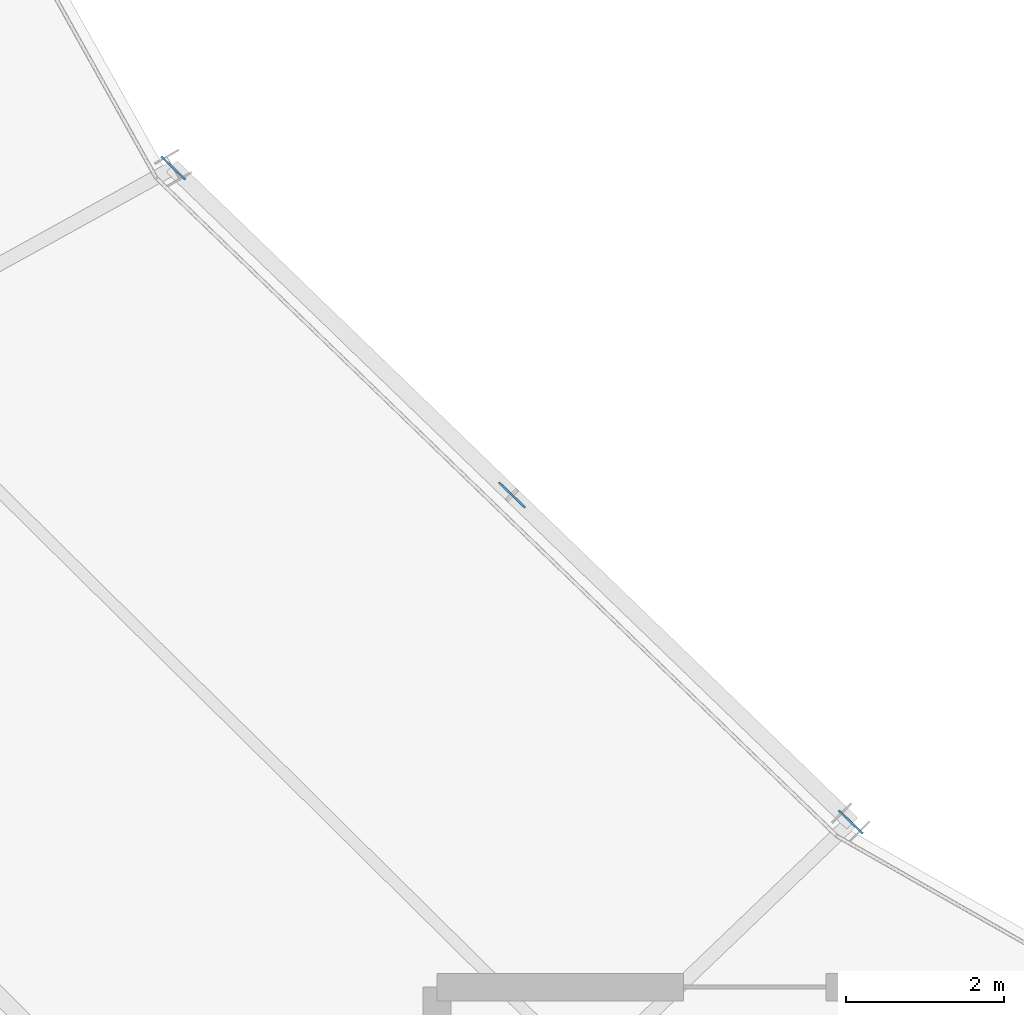
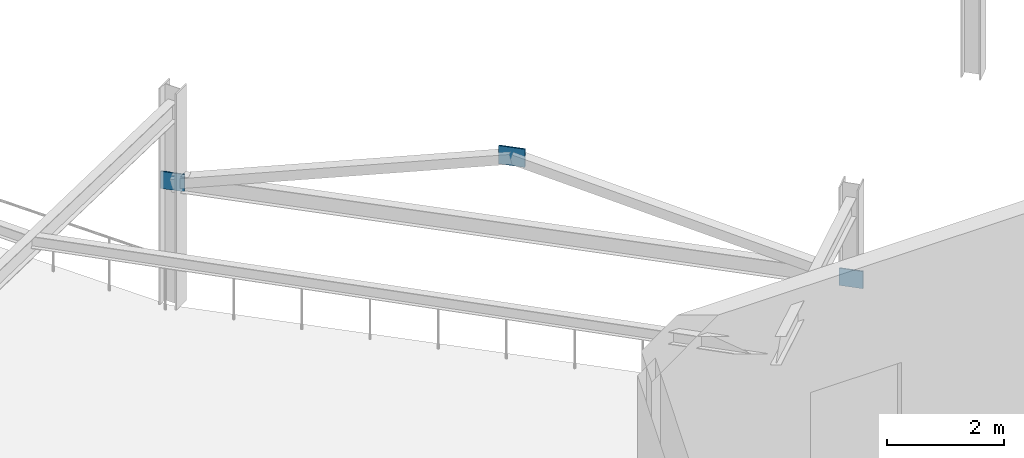
# One storey, part 100 of 126: 3 plates.
"""IFC4 building model written with IfcOpenShell, lengths in metres."""

from ifc_helpers import new_model, si_unit, direction, frame, origin, origin_2d, place, context, subcontext, project, spatial, rectangle, extrude, material, layer, layer_set, type_object, element, save


model = new_model("IFC4")

# Units and contexts
model_context = context("Model", 3, precision=1e-05, world=origin(), true_north=direction((0.0, 1.0)))
body_context = subcontext(model_context, "Body", "Model", "MODEL_VIEW")
ifc_project = project(units=[si_unit("LENGTHUNIT", "METRE"), si_unit("AREAUNIT", "SQUARE_METRE"), si_unit("VOLUMEUNIT", "CUBIC_METRE"), si_unit("PLANEANGLEUNIT", "RADIAN"), si_unit("MASSUNIT", "GRAM", prefix="KILO")], contexts=[model_context])

# Site, building, storey
site_placement = place(None, origin())
site = spatial("IfcSite", under=ifc_project, at=site_placement, CompositionType="ELEMENT")
building_placement = place(site_placement, origin())
building = spatial("IfcBuilding", under=site, at=building_placement, Name="Kalgoora Escarpment Arena", CompositionType="ELEMENT")
storey_placement = place(building_placement, frame((0.0, 0.0, 18.89990234375)))
storey = spatial("IfcBuildingStorey", under=building, at=storey_placement, Name="L04", CompositionType="ELEMENT", Elevation=18.89990234375)

# Plates
ifc_material = material(Name="Structural steel Grade 350 (350 MPa)", Category="steel")
ifc_layer = layer(ifc_material, 0.02490234375)
ifc_layer_set = layer_set([ifc_layer], Name="PLT-GUSSET-25")
plate_type = type_object("IfcPlateType", Name="PLT-GUSSET-25", PredefinedType="USERDEFINED", material=ifc_layer_set)
plate_placement = place(storey_placement, frame((49.92529296875, 39.85791015625, 3.860107421875), z_axis=(0.0, 0.0, 1.0), x_axis=(0.719461030139, -0.6945328114, 0.0)))
element("IfcPlate", 1, at=plate_placement, inside=storey, type_object=plate_type, Name="L04 chevron gusset cap plate R15", ObjectType="FLANGE PLATE", PredefinedType="USERDEFINED", context=body_context, shape_type="SweptSolid", body=[
    extrude(rectangle(XDim=0.4599609375, YDim=0.02490234375, at=origin_2d()), origin(), (0.0, 0.0, 1.0), 0.3798828125),
])
for number, where, z_axis, x_axis, name in (
    (2, (45.634521484375, 44.0, 2.33984375), (0.0, 0.0, 1.0), (0.719339800339, -0.694658370459, 0.0), "Brace and post end gusset plate 037"),
    (3, (54.21630859375, 35.7158203125, 2.33984375), (0.0, 0.0, 1.0), (-0.719339800339, 0.694658370459, 0.0), "Brace and post end gusset plate 038"),
):
    element("IfcPlate", number, at=place(storey_placement, frame(where, z_axis=z_axis, x_axis=x_axis)), inside=storey, type_object=plate_type, Name=name, ObjectType="FLANGE PLATE", PredefinedType="USERDEFINED", context=body_context, shape_type="SweptSolid", body=[
        extrude(rectangle(XDim=0.419921875, YDim=0.02490234375, at=origin_2d()), origin(), (0.0, 0.0, 1.0), 0.360107421875),
    ])

save(model, "model.ifc")
